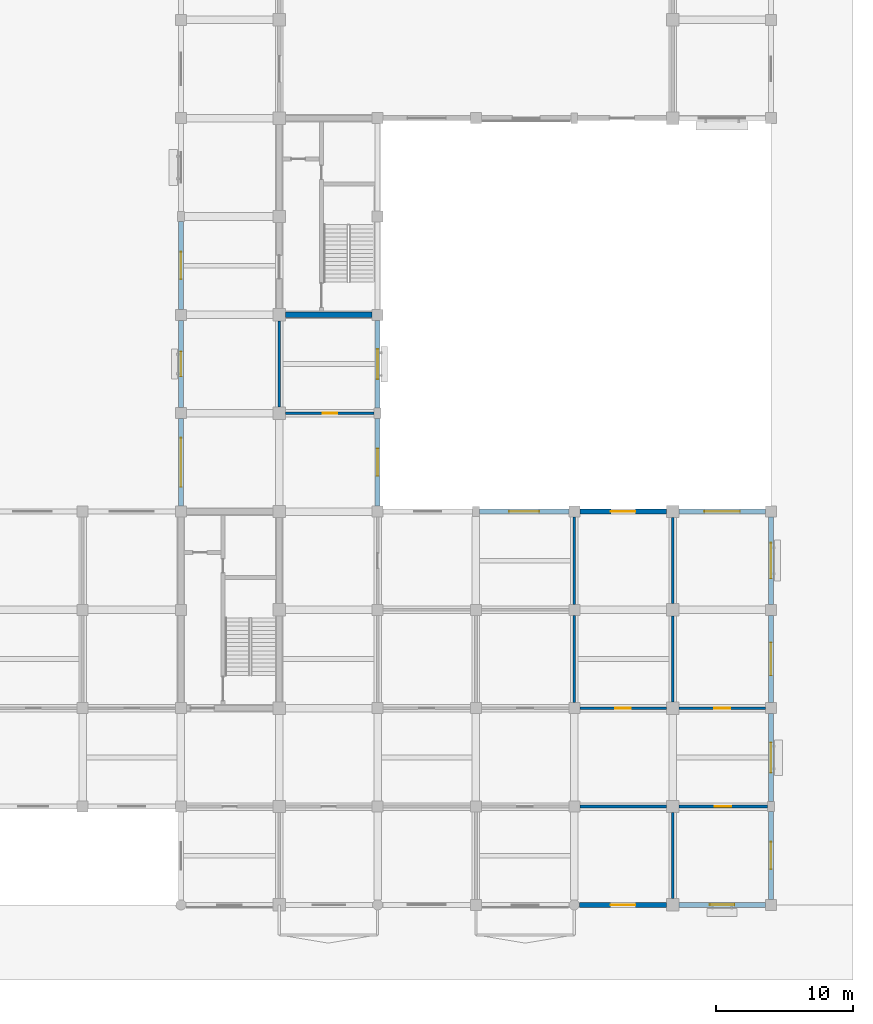
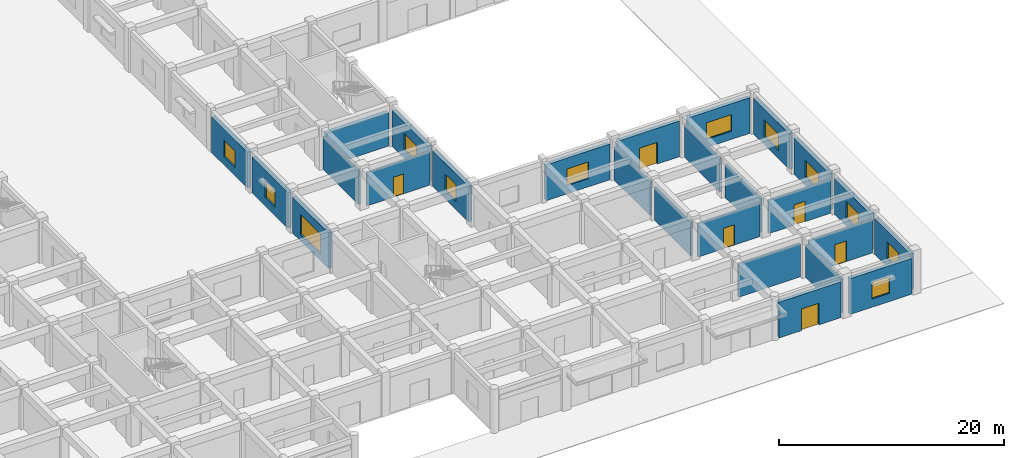
# One storey, part 18 of 37: 26 walls, 12 windows, 6 doors, 18 openings.
"""IFC4 building model written with IfcOpenShell, lengths in metres."""

import ifcopenshell
import ifcopenshell.guid

model = None  # the IFC model being written
_history = None  # IfcOwnerHistory: only IFC2X3 demands one
_inside = {}  # id of a spatial element -> (the spatial element, [elements in it])
_under = {}  # id of a project, library or spatial element -> (it, [spatial elements below it])
_declared = {}  # id of a project -> (the project, [libraries it declares])
_typed = {}  # id of a type object -> (the type object, [elements of that type])
_made_of = {}  # id of a material, layer set ... -> (it, [elements and type objects made of it])


def new_model(schema):
    """Start an empty IFC model of exactly this schema.

    Asked for "IFC4X3", IfcOpenShell would pick the latest addendum, in which some entities
    have other attributes; the version numbers below select the first issue.
    IFC2X3 requires an IfcOwnerHistory on every rooted entity: one is made here for all.
    """
    global model, _history
    if schema == "IFC4X3":
        model = ifcopenshell.file(schema_version=(4, 3, 0, 0))
    else:
        model = ifcopenshell.file(schema=schema)
    _inside.clear()
    _under.clear()
    _declared.clear()
    _typed.clear()
    _made_of.clear()
    _history = None
    if model.schema == "IFC2X3":
        org = make("IfcOrganization", Name="unknown")
        user = make(
            "IfcPersonAndOrganization",
            ThePerson=make("IfcPerson", FamilyName="unknown"),
            TheOrganization=org,
        )
        app = make(
            "IfcApplication",
            ApplicationDeveloper=org,
            Version="unknown",
            ApplicationFullName="unknown",
            ApplicationIdentifier="unknown",
        )
        _history = make(
            "IfcOwnerHistory",
            OwningUser=user,
            OwningApplication=app,
            ChangeAction="ADDED",
            CreationDate=0,
        )
    return model


def make(cls, **values):
    """One entity of the class cls with the attributes given. An attribute that is None is left unset."""
    return model.create_entity(
        cls, **{name: value for name, value in values.items() if value is not None}
    )


def rooted(cls, **values):
    """An entity with a GlobalId (a new one), such as an element, a storey or a relation."""
    return make(cls, GlobalId=ifcopenshell.guid.new(), OwnerHistory=_history, **values)


def si_unit(unit_type, name, prefix=None):
    """IfcSIUnit, for example si_unit("LENGTHUNIT", "METRE", prefix="MILLI")."""
    return make("IfcSIUnit", UnitType=unit_type, Prefix=prefix, Name=name)


def assignment(units):
    """IfcUnitAssignment: the units of a project."""
    return None if units is None else make("IfcUnitAssignment", Units=units)


def point(xyz):
    """IfcCartesianPoint."""
    return None if xyz is None else make("IfcCartesianPoint", Coordinates=xyz)


def direction(xyz):
    """IfcDirection."""
    return None if xyz is None else make("IfcDirection", DirectionRatios=xyz)


def frame(location, z_axis=None, x_axis=None):
    """IfcAxis2Placement3D, a coordinate frame: its origin and axes. An axis left out is left unset."""
    return make(
        "IfcAxis2Placement3D",
        Location=point(location),
        Axis=direction(z_axis),
        RefDirection=direction(x_axis),
    )


def frame_2d(location, x_axis=None):
    """IfcAxis2Placement2D, a coordinate frame in the plane: its origin and x axis."""
    return make(
        "IfcAxis2Placement2D", Location=point(location), RefDirection=direction(x_axis)
    )


def origin():
    """The frame at (0, 0, 0) with its axes left unset."""
    return frame((0.0, 0.0, 0.0))


def place(relative_to, where):
    """IfcLocalPlacement: puts the frame where relative to a parent placement (None: the world)."""
    return make(
        "IfcLocalPlacement", PlacementRelTo=relative_to, RelativePlacement=where
    )


def context(
    kind, dimensions, precision=None, world=None, true_north=None, identifier=None
):
    """IfcGeometricRepresentationContext, for example the 3D "Model" context."""
    return make(
        "IfcGeometricRepresentationContext",
        ContextIdentifier=identifier,
        ContextType=kind,
        CoordinateSpaceDimension=dimensions,
        Precision=precision,
        WorldCoordinateSystem=world,
        TrueNorth=true_north,
    )


def subcontext(parent, identifier, kind, view, scale=None):
    """IfcGeometricRepresentationSubContext, for example "Body" below "Model"."""
    return make(
        "IfcGeometricRepresentationSubContext",
        ContextIdentifier=identifier,
        ContextType=kind,
        ParentContext=parent,
        TargetScale=scale,
        TargetView=view,
    )


def project(units=None, contexts=None):
    """IfcProject with its units and contexts."""
    return rooted(
        "IfcProject",
        Name="project",
        RepresentationContexts=contexts,
        UnitsInContext=assignment(units),
    )


def spatial(cls, under=None, at=None, **own):
    """A site, building, storey or space (cls), placed at a placement, below another one or the project."""
    s = rooted(cls, ObjectPlacement=at, **own)
    if under is not None:
        _under.setdefault(under.id(), (under, []))[1].append(s)
    return s


def profile(cls, at=None, kind="AREA", **sizes):
    """A parametric profile (cls). Its sizes go by their IFC names, for example OverallWidth=200.0."""
    return make(cls, ProfileType=kind, Position=at, **sizes)


def rectangle(**sizes):
    """IfcRectangleProfileDef."""
    return profile("IfcRectangleProfileDef", **sizes)


def extrude(swept, where, along, depth):
    """IfcExtrudedAreaSolid: the profile swept, set in the frame where, extruded along a direction by depth."""
    return make(
        "IfcExtrudedAreaSolid",
        SweptArea=swept,
        Position=where,
        ExtrudedDirection=direction(along),
        Depth=depth,
    )


def shape(context_of_items, identifier, shape_type, items):
    """IfcShapeRepresentation: the items that make up one representation, for example the "Body"."""
    return make(
        "IfcShapeRepresentation",
        ContextOfItems=context_of_items,
        RepresentationIdentifier=identifier,
        RepresentationType=shape_type,
        Items=items,
    )


def material(Name=None, Category=None):
    """IfcMaterial."""
    return make("IfcMaterial", Name=Name, Category=Category)


def layer(
    of_material, thickness, ventilated=None, Name=None, Category=None, Priority=None
):
    """IfcMaterialLayer: one layer of a wall or slab, of a material (None: an air gap)."""
    return make(
        "IfcMaterialLayer",
        Material=of_material,
        LayerThickness=thickness,
        IsVentilated=ventilated,
        Name=Name,
        Category=Category,
        Priority=Priority,
    )


def layer_set(layers, Name=None):
    """IfcMaterialLayerSet."""
    return make("IfcMaterialLayerSet", MaterialLayers=layers, LayerSetName=Name)


def made_of(thing, what):
    """Note that an element or type object is made of a material, layer set ...; save() writes the relation."""
    if what is not None:
        _made_of.setdefault(what.id(), (what, []))[1].append(thing)
    return thing


def type_object(cls, material=None, **own):
    """A type object (cls), such as IfcWallType, which elements share."""
    return made_of(rooted(cls, **own), material)


def element(
    cls,
    number,
    at=None,
    inside=None,
    cuts=None,
    type_object=None,
    material=None,
    context=None,
    identifier="Body",
    shape_type=None,
    held_by="IfcProductDefinitionShape",
    body=None,
    shapes=None,
    **own,
):
    """One element of the class cls, such as IfcWall. Its Tag is "e" and its number.

    at: its placement. inside: the storey or other place that contains it. cuts: it is an
    opening in that element (IfcRelVoidsElement). A single representation is given by context,
    identifier, shape_type and body (its items); several are given by shapes. held_by: the class
    of the entity that holds the representations. save() writes the other relations.
    """
    e = rooted(cls, Tag="e%d" % number, ObjectPlacement=at, **own)
    if body is not None:
        shapes = [shape(context, identifier, shape_type, body)]
    if shapes is not None:
        e.Representation = make(held_by, Representations=shapes)
    if inside is not None:
        _inside.setdefault(inside.id(), (inside, []))[1].append(e)
    if cuts is not None:
        rooted(
            "IfcRelVoidsElement", RelatingBuildingElement=cuts, RelatedOpeningElement=e
        )
    if type_object is not None:
        _typed.setdefault(type_object.id(), (type_object, []))[1].append(e)
    return made_of(e, material)


def fill(opening, filler):
    """IfcRelFillsElement: the door or window that sits in an opening."""
    return rooted(
        "IfcRelFillsElement",
        RelatingOpeningElement=opening,
        RelatedBuildingElement=filler,
    )


def aggregate(whole, parts):
    """IfcRelAggregates: a whole, such as a stair, and the parts it consists of."""
    return rooted("IfcRelAggregates", RelatingObject=whole, RelatedObjects=parts)


def save(model, path):
    """Write the relations noted so far, then the file.

    IfcRelAggregates (storeys below a building ...), IfcRelContainedInSpatialStructure (elements
    in a storey), IfcRelDefinesByType, IfcRelAssociatesMaterial and IfcRelDeclares: one each for
    every whole, place, type object, material and project.
    """
    for whole, parts in _under.values():
        aggregate(whole, parts)
    for where, things in _inside.values():
        rooted(
            "IfcRelContainedInSpatialStructure",
            RelatedElements=things,
            RelatingStructure=where,
        )
    for kind, things in _typed.values():
        rooted("IfcRelDefinesByType", RelatedObjects=things, RelatingType=kind)
    for what, things in _made_of.values():
        rooted("IfcRelAssociatesMaterial", RelatedObjects=things, RelatingMaterial=what)
    for by, libraries in _declared.values():
        rooted("IfcRelDeclares", RelatingContext=by, RelatedDefinitions=libraries)
    model.write(path)


model = new_model("IFC4")

# Units and contexts
model_context = context("Model", 3, precision=1e-05, world=origin(), true_north=direction((0.0, 1.0)))
body_context = subcontext(model_context, "Body", "Model", "MODEL_VIEW")
ifc_project = project(units=[si_unit("LENGTHUNIT", "METRE"), si_unit("AREAUNIT", "SQUARE_METRE"), si_unit("VOLUMEUNIT", "CUBIC_METRE"), si_unit("PLANEANGLEUNIT", "RADIAN"), si_unit("MASSUNIT", "GRAM", prefix="KILO")], contexts=[model_context])

# Site, building, storey
site_placement = place(None, origin())
site = spatial("IfcSite", under=ifc_project, at=site_placement, CompositionType="ELEMENT")
building_placement = place(site_placement, origin())
building = spatial("IfcBuilding", under=site, at=building_placement, Name="Cendaluz Park School", CompositionType="ELEMENT")
storey_placement = place(building_placement, origin())
storey = spatial("IfcBuildingStorey", under=building, at=storey_placement, Name="L00", CompositionType="ELEMENT", Elevation=0.0)

# Wall
ifc_material_1 = material(Name="Gypsum Plasterboard on Cold-Formed Stud", Category="gypsum")
ifc_layer_1 = layer(ifc_material_1, 0.199951171875)
ifc_layer_set_1 = layer_set([ifc_layer_1], Name="Gypsum Plasterboard on Cold-Formed Stud")
wall_type_1 = type_object("IfcWallType", Name="W-AC20", PredefinedType="PARTITIONING", material=ifc_layer_set_1)
wall_1_placement = place(storey_placement, frame((158.39990234375, 22.0, 0.0), z_axis=(0.0, 0.0, 1.0), x_axis=(0.0, 1.0, 0.0)))
element("IfcWall", 1, at=wall_1_placement, inside=storey, type_object=wall_type_1, Name="WL-FA-CI1", PredefinedType="PARTITIONING", context=body_context, shape_type="SweptSolid", body=[
    extrude(rectangle(XDim=6.39990234375, YDim=0.199951171875, at=frame_2d((3.199951171875, 0.0))), origin(), (0.0, 0.0, 1.0), 3.6201171875),
])

# Wall, opening, door
wall_2_placement = place(storey_placement, frame((158.800048828125, 14.39990234375, 0.0), z_axis=(0.0, 0.0, 1.0), x_axis=(1.0, 0.0, 0.0)))
wall_2 = element("IfcWall", 2, at=wall_2_placement, inside=storey, type_object=wall_type_1, Name="WL-FA-CI2", PredefinedType="PARTITIONING", context=body_context, shape_type="SweptSolid", body=[
    extrude(rectangle(XDim=6.349853515625, YDim=0.199951171875, at=frame_2d((3.1748046875, 0.0))), origin(), (0.0, 0.0, 1.0), 3.6201171875),
])
opening_1_placement = place(wall_2_placement, frame((2.614990234375, 0.0, 0.0)))
opening_1 = element("IfcOpeningElement", 3, at=opening_1_placement, cuts=wall_2, Name="Opening DCL-06", PredefinedType="OPENING", context=body_context, shape_type="SweptSolid", body=[
    extrude(rectangle(XDim=1.1201171875, YDim=2.199951171875, at=frame_2d((0.56005859375, 1.10009765625))), frame((0.0, 0.112060546875, 0.0), z_axis=(0.0, -1.0, 0.0), x_axis=(1.0, 0.0, 0.0)), (0.0, 0.0, 1.0), 0.223876953125),
])
ifc_material_2 = material(Name="Solid Core Hardwood", Category="wood")
door_type_1 = type_object("IfcDoorType", Name="DCL-06", OperationType="NOTDEFINED", PredefinedType="DOOR", material=ifc_material_2)
door_1_placement = place(opening_1_placement, origin())
door_1 = element("IfcDoor", 4, at=door_1_placement, inside=storey, type_object=door_type_1, Name="D-L00-088", OperationType="SINGLE_SWING_RIGHT", OverallHeight=2.199951171875, OverallWidth=1.1201171875, PredefinedType="DOOR", context=body_context, shape_type="SweptSolid", body=[
    extrude(rectangle(XDim=1.1201171875, YDim=2.199951171875, at=frame_2d((0.56005859375, 1.10009765625))), frame((0.0, 0.02490234375, 0.0), z_axis=(0.0, -1.0, 0.0), x_axis=(1.0, 0.0, 0.0)), (0.0, 0.0, 1.0), 0.050048828125),
])
fill(opening_1, door_1)

# Walls
wall_3_placement = place(storey_placement, frame((158.39990234375, 14.800048828125, 0.0), z_axis=(0.0, 0.0, 1.0), x_axis=(0.0, 1.0, 0.0)))
element("IfcWall", 5, at=wall_3_placement, inside=storey, type_object=wall_type_1, Name="WL-FA-CI3", PredefinedType="PARTITIONING", context=body_context, shape_type="SweptSolid", body=[
    extrude(rectangle(XDim=6.39990234375, YDim=0.199951171875, at=frame_2d((3.199951171875, 0.0))), origin(), (0.0, 0.0, 1.0), 3.6201171875),
])
wall_4_placement = place(storey_placement, frame((165.60009765625, 14.85009765625, 0.0), z_axis=(0.0, 0.0, 1.0), x_axis=(0.0, 1.0, 0.0)))
element("IfcWall", 6, at=wall_4_placement, inside=storey, type_object=wall_type_1, Name="WL-FA-CI4", PredefinedType="PARTITIONING", context=body_context, shape_type="SweptSolid", body=[
    extrude(rectangle(XDim=6.2998046875, YDim=0.199951171875, at=frame_2d((3.14990234375, 0.0))), origin(), (0.0, 0.0, 1.0), 3.6201171875),
])
wall_5_placement = place(storey_placement, frame((165.60009765625, 22.050048828125, 0.0), z_axis=(0.0, 0.0, 1.0), x_axis=(0.0, 1.0, 0.0)))
element("IfcWall", 7, at=wall_5_placement, inside=storey, type_object=wall_type_1, Name="WL-FA-CI5", PredefinedType="PARTITIONING", context=body_context, shape_type="SweptSolid", body=[
    extrude(rectangle(XDim=6.300048828125, YDim=0.199951171875, at=frame_2d((3.14990234375, 0.0))), origin(), (0.0, 0.0, 1.0), 3.6201171875),
])

# Wall, opening, door
wall_6_placement = place(storey_placement, frame((166.050048828125, 14.39990234375, 0.0), z_axis=(0.0, 0.0, 1.0), x_axis=(1.0, 0.0, 0.0)))
wall_6 = element("IfcWall", 8, at=wall_6_placement, inside=storey, type_object=wall_type_1, Name="WL-FA-CI6", PredefinedType="PARTITIONING", context=body_context, shape_type="SweptSolid", body=[
    extrude(rectangle(XDim=6.349853515625, YDim=0.199951171875, at=frame_2d((3.1748046875, 0.0))), origin(), (0.0, 0.0, 1.0), 3.6201171875),
])
opening_2_placement = place(wall_6_placement, frame((2.594970703125, 0.0, 0.0)))
opening_2 = element("IfcOpeningElement", 9, at=opening_2_placement, cuts=wall_6, Name="Opening DCL-07", PredefinedType="OPENING", context=body_context, shape_type="SweptSolid", body=[
    extrude(rectangle(XDim=1.159912109375, YDim=2.219970703125, at=frame_2d((0.580078125, 1.10986328125))), frame((0.0, 0.112060546875, 0.0), z_axis=(0.0, -1.0, 0.0), x_axis=(1.0, 0.0, 0.0)), (0.0, 0.0, 1.0), 0.223876953125),
])
door_type_2 = type_object("IfcDoorType", Name="DCL-07", OperationType="NOTDEFINED", PredefinedType="DOOR", material=ifc_material_2)
door_2_placement = place(opening_2_placement, origin())
door_2 = element("IfcDoor", 10, at=door_2_placement, inside=storey, type_object=door_type_2, Name="D-L00-089", OperationType="SINGLE_SWING_LEFT", OverallHeight=2.219970703125, OverallWidth=1.159912109375, PredefinedType="DOOR", context=body_context, shape_type="SweptSolid", body=[
    extrude(rectangle(XDim=1.159912109375, YDim=2.219970703125, at=frame_2d((0.580078125, 1.10986328125))), frame((0.0, 0.02490234375, 0.0), z_axis=(0.0, -1.0, 0.0), x_axis=(1.0, 0.0, 0.0)), (0.0, 0.0, 1.0), 0.050048828125),
])
fill(opening_2, door_2)

wall_7_placement = place(storey_placement, frame((137.25, 36.0, 0.0), z_axis=(0.0, 0.0, 1.0), x_axis=(1.0, 0.0, 0.0)))
wall_7 = element("IfcWall", 11, at=wall_7_placement, inside=storey, type_object=wall_type_1, Name="WL-FA-CM5", PredefinedType="PARTITIONING", context=body_context, shape_type="SweptSolid", body=[
    extrude(rectangle(XDim=6.5, YDim=0.199951171875, at=frame_2d((3.25, 0.0))), origin(), (0.0, 0.0, 1.0), 3.6201171875),
])
opening_3_placement = place(wall_7_placement, frame((2.719970703125, 0.0, 0.0)))
opening_3 = element("IfcOpeningElement", 12, at=opening_3_placement, cuts=wall_7, Name="Opening DCL-04", PredefinedType="OPENING", context=body_context, shape_type="SweptSolid", body=[
    extrude(rectangle(XDim=1.06005859375, YDim=2.159912109375, at=frame_2d((0.530029296875, 1.080078125))), frame((0.0, 0.112060546875, 0.0), z_axis=(0.0, -1.0, 0.0), x_axis=(1.0, 0.0, 0.0)), (0.0, 0.0, 1.0), 0.223876953125),
])
door_type_3 = type_object("IfcDoorType", Name="DCL-04", OperationType="NOTDEFINED", PredefinedType="DOOR", material=ifc_material_2)
door_3_placement = place(opening_3_placement, origin())
door_3 = element("IfcDoor", 13, at=door_3_placement, inside=storey, type_object=door_type_3, Name="D-L00-106", OperationType="SINGLE_SWING_RIGHT", OverallHeight=2.159912109375, OverallWidth=1.06005859375, PredefinedType="DOOR", context=body_context, shape_type="SweptSolid", body=[
    extrude(rectangle(XDim=1.06005859375, YDim=2.159912109375, at=frame_2d((0.530029296875, 1.080078125))), frame((0.0, 0.02490234375, 0.0), z_axis=(0.0, -1.0, 0.0), x_axis=(1.0, 0.0, 0.0)), (0.0, 0.0, 1.0), 0.050048828125),
])
fill(opening_3, door_3)

# Walls
wall_8_placement = place(storey_placement, frame((136.800048828125, 36.449951171875, 0.0), z_axis=(0.0, 0.0, 1.0), x_axis=(0.0, 1.0, 0.0)))
element("IfcWall", 14, at=wall_8_placement, inside=storey, type_object=wall_type_1, Name="WL-FA-CM6", PredefinedType="PARTITIONING", context=body_context, shape_type="SweptSolid", body=[
    extrude(rectangle(XDim=6.300048828125, YDim=0.199951171875, at=frame_2d((3.14990234375, 0.0))), origin(), (0.0, 0.0, 1.0), 3.6201171875),
])
wall_9_placement = place(storey_placement, frame((158.800048828125, 7.199951171875, 0.0), z_axis=(0.0, 0.0, 1.0), x_axis=(1.0, 0.0, 0.0)))
element("IfcWall", 15, at=wall_9_placement, inside=storey, type_object=wall_type_1, Name="WL-FA-CN1", PredefinedType="PARTITIONING", context=body_context, shape_type="SweptSolid", body=[
    extrude(rectangle(XDim=6.349853515625, YDim=0.199951171875, at=frame_2d((3.1748046875, 0.0))), origin(), (0.0, 0.0, 1.0), 3.6201171875),
])
wall_10_placement = place(storey_placement, frame((165.60009765625, 0.449951171875, 0.0), z_axis=(0.0, 0.0, 1.0), x_axis=(0.0, 1.0, 0.0)))
element("IfcWall", 16, at=wall_10_placement, inside=storey, type_object=wall_type_1, Name="WL-FA-CN2", PredefinedType="PARTITIONING", context=body_context, shape_type="SweptSolid", body=[
    extrude(rectangle(XDim=6.300048828125, YDim=0.199951171875, at=frame_2d((3.14990234375, 0.0))), origin(), (0.0, 0.0, 1.0), 3.6201171875),
])

# Wall, opening, door
wall_11_placement = place(storey_placement, frame((166.050048828125, 7.199951171875, 0.0), z_axis=(0.0, 0.0, 1.0), x_axis=(1.0, 0.0, 0.0)))
wall_11 = element("IfcWall", 17, at=wall_11_placement, inside=storey, type_object=wall_type_1, Name="WL-FA-CN4", PredefinedType="PARTITIONING", context=body_context, shape_type="SweptSolid", body=[
    extrude(rectangle(XDim=6.5, YDim=0.199951171875, at=frame_2d((3.25, 0.0))), origin(), (0.0, 0.0, 1.0), 3.6201171875),
])
opening_4_placement = place(wall_11_placement, frame((2.64990234375, 0.0, 0.0)))
opening_4 = element("IfcOpeningElement", 18, at=opening_4_placement, cuts=wall_11, Name="Opening DCL-08", PredefinedType="OPENING", context=body_context, shape_type="SweptSolid", body=[
    extrude(rectangle(XDim=1.199951171875, YDim=2.239990234375, at=frame_2d((0.60009765625, 1.1201171875))), frame((0.0, 0.112060546875, 0.0), z_axis=(0.0, -1.0, 0.0), x_axis=(1.0, 0.0, 0.0)), (0.0, 0.0, 1.0), 0.223876953125),
])
door_type_4 = type_object("IfcDoorType", Name="DCL-08", OperationType="NOTDEFINED", PredefinedType="DOOR", material=ifc_material_2)
door_4_placement = place(opening_4_placement, frame((1.199951171875, 0.0, 0.0), z_axis=(0.0, 0.0, 1.0), x_axis=(-1.0, 0.0, 0.0)))
door_4 = element("IfcDoor", 19, at=door_4_placement, inside=storey, type_object=door_type_4, Name="D-L00-110", OperationType="SINGLE_SWING_RIGHT", OverallHeight=2.239990234375, OverallWidth=1.199951171875, PredefinedType="DOOR", context=body_context, shape_type="SweptSolid", body=[
    extrude(rectangle(XDim=1.199951171875, YDim=2.239990234375, at=frame_2d((0.60009765625, 1.1201171875))), frame((0.0, 0.02490234375, 0.0), z_axis=(0.0, -1.0, 0.0), x_axis=(1.0, 0.0, 0.0)), (0.0, 0.0, 1.0), 0.050048828125),
])
fill(opening_4, door_4)

# Wall, opening, window
ifc_material_3 = material(Name="Concrete C40/50 precast", Category="concrete")
ifc_layer_2 = layer(ifc_material_3, 0.360107421875)
ifc_layer_set_2 = layer_set([ifc_layer_2], Name="Concrete C40/50 precast")
wall_type_2 = type_object("IfcWallType", Name="W-EX36", PredefinedType="SOLIDWALL", material=ifc_layer_set_2)
wall_12_placement = place(storey_placement, frame((129.60009765625, 29.199951171875, 0.0), z_axis=(0.0, 0.0, 1.0), x_axis=(0.0, 1.0, 0.0)))
wall_12 = element("IfcWall", 20, at=wall_12_placement, inside=storey, type_object=wall_type_2, Name="WL-FA-AI3", PredefinedType="SOLIDWALL", context=body_context, shape_type="SweptSolid", body=[
    extrude(rectangle(XDim=6.400146484375, YDim=0.360107421875, at=frame_2d((3.2001953125, 0.0))), origin(), (0.0, 0.0, 1.0), 3.889892578125),
])
opening_5_placement = place(wall_12_placement, frame((1.39990234375, 0.0, 0.699951171875)))
opening_5 = element("IfcOpeningElement", 21, at=opening_5_placement, cuts=wall_12, Name="Opening WN-26", PredefinedType="OPENING", context=body_context, shape_type="SweptSolid", body=[
    extrude(rectangle(XDim=3.60009765625, YDim=2.199951171875, at=frame_2d((1.800048828125, 1.10009765625))), frame((0.0, 0.192138671875, 0.0), z_axis=(0.0, -1.0, 0.0), x_axis=(1.0, 0.0, 0.0)), (0.0, 0.0, 1.0), 0.384033203125),
])
ifc_material_4 = material(Name="Tempered Low-E Double Glazing", Category="glass")
window_type_1 = type_object("IfcWindowType", Name="WN-26", PartitioningType="SINGLE_PANEL", PredefinedType="WINDOW", material=ifc_material_4)
window_1_placement = place(opening_5_placement, origin())
window_1 = element("IfcWindow", 22, at=window_1_placement, inside=storey, type_object=window_type_1, Name="WN-L00-063", OverallHeight=2.199951171875, OverallWidth=3.60009765625, PartitioningType="SINGLE_PANEL", PredefinedType="WINDOW", context=body_context, shape_type="SweptSolid", body=[
    extrude(rectangle(XDim=3.60009765625, YDim=2.199951171875, at=frame_2d((1.800048828125, 1.10009765625))), frame((0.0, 0.030029296875, 0.0), z_axis=(0.0, -1.0, 0.0), x_axis=(1.0, 0.0, 0.0)), (0.0, 0.0, 1.0), 0.06005859375),
])
fill(opening_5, window_1)

wall_13_placement = place(storey_placement, frame((129.60009765625, 36.39990234375, 0.0), z_axis=(0.0, 0.0, 1.0), x_axis=(0.0, 1.0, 0.0)))
wall_13 = element("IfcWall", 23, at=wall_13_placement, inside=storey, type_object=wall_type_2, Name="WL-FA-AI4", PredefinedType="SOLIDWALL", context=body_context, shape_type="SweptSolid", body=[
    extrude(rectangle(XDim=6.400146484375, YDim=0.360107421875, at=frame_2d((3.2001953125, 0.0))), origin(), (0.0, 0.0, 1.0), 3.889892578125),
])
opening_6_placement = place(wall_13_placement, frame((2.300048828125, 0.0, 0.89990234375)))
opening_6 = element("IfcOpeningElement", 24, at=opening_6_placement, cuts=wall_13, Name="Opening WN-01", PredefinedType="OPENING", context=body_context, shape_type="SweptSolid", body=[
    extrude(rectangle(XDim=1.800048828125, YDim=1.800048828125, at=frame_2d((0.89990234375, 0.89990234375))), frame((0.0, 0.192138671875, 0.0), z_axis=(0.0, -1.0, 0.0), x_axis=(1.0, 0.0, 0.0)), (0.0, 0.0, 1.0), 0.384033203125),
])
window_type_2 = type_object("IfcWindowType", Name="WN-01", PartitioningType="SINGLE_PANEL", PredefinedType="WINDOW", material=ifc_material_4)
window_2_placement = place(opening_6_placement, origin())
window_2 = element("IfcWindow", 25, at=window_2_placement, inside=storey, type_object=window_type_2, Name="WN-L00-064", OverallHeight=1.800048828125, OverallWidth=1.800048828125, PartitioningType="SINGLE_PANEL", PredefinedType="WINDOW", context=body_context, shape_type="SweptSolid", body=[
    extrude(rectangle(XDim=1.800048828125, YDim=1.800048828125, at=frame_2d((0.89990234375, 0.89990234375))), frame((0.0, 0.030029296875, 0.0), z_axis=(0.0, -1.0, 0.0), x_axis=(1.0, 0.0, 0.0)), (0.0, 0.0, 1.0), 0.06005859375),
])
fill(opening_6, window_2)

wall_14_placement = place(storey_placement, frame((129.60009765625, 43.60009765625, 0.0), z_axis=(0.0, 0.0, 1.0), x_axis=(0.0, 1.0, 0.0)))
wall_14 = element("IfcWall", 26, at=wall_14_placement, inside=storey, type_object=wall_type_2, Name="WL-FA-AI5", PredefinedType="SOLIDWALL", context=body_context, shape_type="SweptSolid", body=[
    extrude(rectangle(XDim=6.4248046875, YDim=0.360107421875, at=frame_2d((3.21240234375, 0.0))), origin(), (0.0, 0.0, 1.0), 3.889892578125),
])
opening_7_placement = place(wall_14_placement, frame((2.21240234375, 0.0, 0.89990234375)))
opening_7 = element("IfcOpeningElement", 27, at=opening_7_placement, cuts=wall_14, Name="Opening WN-02", PredefinedType="OPENING", context=body_context, shape_type="SweptSolid", body=[
    extrude(rectangle(XDim=2.0, YDim=1.800048828125, at=frame_2d((1.0, 0.89990234375))), frame((0.0, 0.192138671875, 0.0), z_axis=(0.0, -1.0, 0.0), x_axis=(1.0, 0.0, 0.0)), (0.0, 0.0, 1.0), 0.384033203125),
])
window_type_3 = type_object("IfcWindowType", Name="WN-02", PartitioningType="SINGLE_PANEL", PredefinedType="WINDOW", material=ifc_material_4)
window_3_placement = place(opening_7_placement, origin())
window_3 = element("IfcWindow", 28, at=window_3_placement, inside=storey, type_object=window_type_3, Name="WN-L00-065", OverallHeight=1.800048828125, OverallWidth=2.0, PartitioningType="SINGLE_PANEL", PredefinedType="WINDOW", context=body_context, shape_type="SweptSolid", body=[
    extrude(rectangle(XDim=2.0, YDim=1.800048828125, at=frame_2d((1.0, 0.89990234375))), frame((0.0, 0.030029296875, 0.0), z_axis=(0.0, -1.0, 0.0), x_axis=(1.0, 0.0, 0.0)), (0.0, 0.0, 1.0), 0.06005859375),
])
fill(opening_7, window_3)

wall_15_placement = place(storey_placement, frame((144.0, 29.199951171875, 0.0), z_axis=(0.0, 0.0, 1.0), x_axis=(0.0, 1.0, 0.0)))
wall_15 = element("IfcWall", 29, at=wall_15_placement, inside=storey, type_object=wall_type_2, Name="WL-FA-AJ7", PredefinedType="SOLIDWALL", context=body_context, shape_type="SweptSolid", body=[
    extrude(rectangle(XDim=6.425048828125, YDim=0.360107421875, at=frame_2d((3.21240234375, 0.0))), origin(), (0.0, 0.0, 1.0), 3.889892578125),
])
opening_8_placement = place(wall_15_placement, frame((2.21240234375, 0.0, 0.89990234375)))
opening_8 = element("IfcOpeningElement", 30, at=opening_8_placement, cuts=wall_15, Name="Opening WN-02", PredefinedType="OPENING", context=body_context, shape_type="SweptSolid", body=[
    extrude(rectangle(XDim=2.0, YDim=1.800048828125, at=frame_2d((1.0, 0.89990234375))), frame((0.0, 0.192138671875, 0.0), z_axis=(0.0, -1.0, 0.0), x_axis=(1.0, 0.0, 0.0)), (0.0, 0.0, 1.0), 0.384033203125),
])
window_4_placement = place(opening_8_placement, origin())
window_4 = element("IfcWindow", 31, at=window_4_placement, inside=storey, type_object=window_type_3, Name="WN-L00-076", OverallHeight=1.800048828125, OverallWidth=2.0, PartitioningType="SINGLE_PANEL", PredefinedType="WINDOW", context=body_context, shape_type="SweptSolid", body=[
    extrude(rectangle(XDim=2.0, YDim=1.800048828125, at=frame_2d((1.0, 0.89990234375))), frame((0.0, 0.030029296875, 0.0), z_axis=(0.0, -1.0, 0.0), x_axis=(1.0, 0.0, 0.0)), (0.0, 0.0, 1.0), 0.06005859375),
])
fill(opening_8, window_4)

wall_16_placement = place(storey_placement, frame((144.0, 36.375, 0.0), z_axis=(0.0, 0.0, 1.0), x_axis=(0.0, 1.0, 0.0)))
wall_16 = element("IfcWall", 32, at=wall_16_placement, inside=storey, type_object=wall_type_2, Name="WL-FA-AJ8", PredefinedType="SOLIDWALL", context=body_context, shape_type="SweptSolid", body=[
    extrude(rectangle(XDim=6.425048828125, YDim=0.360107421875, at=frame_2d((3.21240234375, 0.0))), origin(), (0.0, 0.0, 1.0), 3.889892578125),
])
opening_9_placement = place(wall_16_placement, frame((2.112548828125, 0.0, 0.89990234375)))
opening_9 = element("IfcOpeningElement", 33, at=opening_9_placement, cuts=wall_16, Name="Opening WN-03", PredefinedType="OPENING", context=body_context, shape_type="SweptSolid", body=[
    extrude(rectangle(XDim=2.199951171875, YDim=1.800048828125, at=frame_2d((1.10009765625, 0.89990234375))), frame((0.0, 0.192138671875, 0.0), z_axis=(0.0, -1.0, 0.0), x_axis=(1.0, 0.0, 0.0)), (0.0, 0.0, 1.0), 0.384033203125),
])
window_type_4 = type_object("IfcWindowType", Name="WN-03", PartitioningType="SINGLE_PANEL", PredefinedType="WINDOW", material=ifc_material_4)
window_5_placement = place(opening_9_placement, origin())
window_5 = element("IfcWindow", 34, at=window_5_placement, inside=storey, type_object=window_type_4, Name="WN-L00-077", OverallHeight=1.800048828125, OverallWidth=2.199951171875, PartitioningType="SINGLE_PANEL", PredefinedType="WINDOW", context=body_context, shape_type="SweptSolid", body=[
    extrude(rectangle(XDim=2.199951171875, YDim=1.800048828125, at=frame_2d((1.10009765625, 0.89990234375))), frame((0.0, 0.030029296875, 0.0), z_axis=(0.0, -1.0, 0.0), x_axis=(1.0, 0.0, 0.0)), (0.0, 0.0, 1.0), 0.06005859375),
])
fill(opening_9, window_5)

wall_17_placement = place(storey_placement, frame((151.449951171875, 28.800048828125, 0.0), z_axis=(0.0, 0.0, 1.0), x_axis=(1.0, 0.0, 0.0)))
wall_17 = element("IfcWall", 35, at=wall_17_placement, inside=storey, type_object=wall_type_2, Name="WL-FA-AK5", PredefinedType="SOLIDWALL", context=body_context, shape_type="SweptSolid", body=[
    extrude(rectangle(XDim=6.550048828125, YDim=0.360107421875, at=frame_2d((3.27490234375, 0.0))), origin(), (0.0, 0.0, 1.0), 3.889892578125),
])
opening_10_placement = place(wall_17_placement, frame((2.175048828125, 0.0, 0.89990234375)))
opening_10 = element("IfcOpeningElement", 36, at=opening_10_placement, cuts=wall_17, Name="Opening WN-03", PredefinedType="OPENING", context=body_context, shape_type="SweptSolid", body=[
    extrude(rectangle(XDim=2.199951171875, YDim=1.800048828125, at=frame_2d((1.10009765625, 0.89990234375))), frame((0.0, 0.192138671875, 0.0), z_axis=(0.0, -1.0, 0.0), x_axis=(1.0, 0.0, 0.0)), (0.0, 0.0, 1.0), 0.384033203125),
])
window_6_placement = place(opening_10_placement, origin())
window_6 = element("IfcWindow", 37, at=window_6_placement, inside=storey, type_object=window_type_4, Name="WN-L00-082", OverallHeight=1.800048828125, OverallWidth=2.199951171875, PartitioningType="SINGLE_PANEL", PredefinedType="WINDOW", context=body_context, shape_type="SweptSolid", body=[
    extrude(rectangle(XDim=2.199951171875, YDim=1.800048828125, at=frame_2d((1.10009765625, 0.89990234375))), frame((0.0, 0.030029296875, 0.0), z_axis=(0.0, -1.0, 0.0), x_axis=(1.0, 0.0, 0.0)), (0.0, 0.0, 1.0), 0.06005859375),
])
fill(opening_10, window_6)

# Wall, opening, door
wall_18_placement = place(storey_placement, frame((158.77490234375, 0.0, 0.0), z_axis=(0.0, 0.0, 1.0), x_axis=(1.0, 0.0, 0.0)))
wall_18 = element("IfcWall", 38, at=wall_18_placement, inside=storey, type_object=wall_type_2, Name="WL-FA-AK8", PredefinedType="SOLIDWALL", context=body_context, shape_type="SweptSolid", body=[
    extrude(rectangle(XDim=6.375, YDim=0.360107421875, at=frame_2d((3.1875, 0.0))), origin(), (0.0, 0.0, 1.0), 3.889892578125),
])
opening_11_placement = place(wall_18_placement, frame((2.28759765625, 0.0, 0.0)))
opening_11 = element("IfcOpeningElement", 39, at=opening_11_placement, cuts=wall_18, Name="Opening DEX-03", PredefinedType="OPENING", context=body_context, shape_type="SweptSolid", body=[
    extrude(rectangle(XDim=1.800048828125, YDim=2.35009765625, at=frame_2d((0.89990234375, 1.175048828125))), frame((0.0, 0.192138671875, 0.0), z_axis=(0.0, -1.0, 0.0), x_axis=(1.0, 0.0, 0.0)), (0.0, 0.0, 1.0), 0.384033203125),
])
ifc_material_5 = material(Name="Architectural Bronze")
door_type_5 = type_object("IfcDoorType", Name="DEX-03", OperationType="DOUBLE_DOOR_SINGLE_SWING", PredefinedType="DOOR", material=ifc_material_5)
door_5_placement = place(opening_11_placement, frame((1.800048828125, 0.0, 0.0), z_axis=(0.0, 0.0, 1.0), x_axis=(-1.0, 0.0, 0.0)))
door_5 = element("IfcDoor", 40, at=door_5_placement, inside=storey, type_object=door_type_5, Name="D-L00-026", OperationType="DOUBLE_DOOR_SINGLE_SWING", OverallHeight=2.35009765625, OverallWidth=1.800048828125, PredefinedType="DOOR", context=body_context, shape_type="SweptSolid", body=[
    extrude(rectangle(XDim=1.800048828125, YDim=2.35009765625, at=frame_2d((0.89990234375, 1.175048828125))), frame((0.0, 0.02490234375, 0.0), z_axis=(0.0, -1.0, 0.0), x_axis=(1.0, 0.0, 0.0)), (0.0, 0.0, 1.0), 0.050048828125),
])
fill(opening_11, door_5)

wall_19_placement = place(storey_placement, frame((158.800048828125, 28.800048828125, 0.0), z_axis=(0.0, 0.0, 1.0), x_axis=(1.0, 0.0, 0.0)))
wall_19 = element("IfcWall", 41, at=wall_19_placement, inside=storey, type_object=wall_type_2, Name="WL-FA-AK9", PredefinedType="SOLIDWALL", context=body_context, shape_type="SweptSolid", body=[
    extrude(rectangle(XDim=6.349853515625, YDim=0.360107421875, at=frame_2d((3.1748046875, 0.0))), origin(), (0.0, 0.0, 1.0), 3.889892578125),
])
opening_12_placement = place(wall_19_placement, frame((2.27490234375, 0.0, 0.0)))
opening_12 = element("IfcOpeningElement", 42, at=opening_12_placement, cuts=wall_19, Name="Opening DEX-03", PredefinedType="OPENING", context=body_context, shape_type="SweptSolid", body=[
    extrude(rectangle(XDim=1.800048828125, YDim=2.35009765625, at=frame_2d((0.89990234375, 1.175048828125))), frame((0.0, 0.192138671875, 0.0), z_axis=(0.0, -1.0, 0.0), x_axis=(1.0, 0.0, 0.0)), (0.0, 0.0, 1.0), 0.384033203125),
])
door_6_placement = place(opening_12_placement, origin())
door_6 = element("IfcDoor", 43, at=door_6_placement, inside=storey, type_object=door_type_5, Name="D-L00-027", OperationType="DOUBLE_DOOR_SINGLE_SWING", OverallHeight=2.35009765625, OverallWidth=1.800048828125, PredefinedType="DOOR", context=body_context, shape_type="SweptSolid", body=[
    extrude(rectangle(XDim=1.800048828125, YDim=2.35009765625, at=frame_2d((0.89990234375, 1.175048828125))), frame((0.0, 0.02490234375, 0.0), z_axis=(0.0, -1.0, 0.0), x_axis=(1.0, 0.0, 0.0)), (0.0, 0.0, 1.0), 0.050048828125),
])
fill(opening_12, door_6)

# Wall, opening, window
wall_20_placement = place(storey_placement, frame((166.050048828125, 0.0, 0.0), z_axis=(0.0, 0.0, 1.0), x_axis=(1.0, 0.0, 0.0)))
wall_20 = element("IfcWall", 44, at=wall_20_placement, inside=storey, type_object=wall_type_2, Name="WL-FA-AL2", PredefinedType="SOLIDWALL", context=body_context, shape_type="SweptSolid", body=[
    extrude(rectangle(XDim=6.349853515625, YDim=0.360107421875, at=frame_2d((3.1748046875, 0.0))), origin(), (0.0, 0.0, 1.0), 3.889892578125),
])
opening_13_placement = place(wall_20_placement, frame((2.27490234375, 0.0, 0.89990234375)))
opening_13 = element("IfcOpeningElement", 45, at=opening_13_placement, cuts=wall_20, Name="Opening WN-01", PredefinedType="OPENING", context=body_context, shape_type="SweptSolid", body=[
    extrude(rectangle(XDim=1.800048828125, YDim=1.800048828125, at=frame_2d((0.89990234375, 0.89990234375))), frame((0.0, 0.192138671875, 0.0), z_axis=(0.0, -1.0, 0.0), x_axis=(1.0, 0.0, 0.0)), (0.0, 0.0, 1.0), 0.384033203125),
])
window_7_placement = place(opening_13_placement, origin())
window_7 = element("IfcWindow", 46, at=window_7_placement, inside=storey, type_object=window_type_2, Name="WN-L00-084", OverallHeight=1.800048828125, OverallWidth=1.800048828125, PartitioningType="SINGLE_PANEL", PredefinedType="WINDOW", context=body_context, shape_type="SweptSolid", body=[
    extrude(rectangle(XDim=1.800048828125, YDim=1.800048828125, at=frame_2d((0.89990234375, 0.89990234375))), frame((0.0, 0.030029296875, 0.0), z_axis=(0.0, -1.0, 0.0), x_axis=(1.0, 0.0, 0.0)), (0.0, 0.0, 1.0), 0.06005859375),
])
fill(opening_13, window_7)

wall_21_placement = place(storey_placement, frame((172.800048828125, 0.39990234375, 0.0), z_axis=(0.0, 0.0, 1.0), x_axis=(0.0, 1.0, 0.0)))
wall_21 = element("IfcWall", 47, at=wall_21_placement, inside=storey, type_object=wall_type_2, Name="WL-FA-AL3", PredefinedType="SOLIDWALL", context=body_context, shape_type="SweptSolid", body=[
    extrude(rectangle(XDim=6.425048828125, YDim=0.360107421875, at=frame_2d((3.21240234375, 0.0))), origin(), (0.0, 0.0, 1.0), 3.889892578125),
])
opening_14_placement = place(wall_21_placement, frame((2.21240234375, 0.0, 0.89990234375)))
opening_14 = element("IfcOpeningElement", 48, at=opening_14_placement, cuts=wall_21, Name="Opening WN-02", PredefinedType="OPENING", context=body_context, shape_type="SweptSolid", body=[
    extrude(rectangle(XDim=2.0, YDim=1.800048828125, at=frame_2d((1.0, 0.89990234375))), frame((0.0, 0.192138671875, 0.0), z_axis=(0.0, -1.0, 0.0), x_axis=(1.0, 0.0, 0.0)), (0.0, 0.0, 1.0), 0.384033203125),
])
window_8_placement = place(opening_14_placement, origin())
window_8 = element("IfcWindow", 49, at=window_8_placement, inside=storey, type_object=window_type_3, Name="WN-L00-085", OverallHeight=1.800048828125, OverallWidth=2.0, PartitioningType="SINGLE_PANEL", PredefinedType="WINDOW", context=body_context, shape_type="SweptSolid", body=[
    extrude(rectangle(XDim=2.0, YDim=1.800048828125, at=frame_2d((1.0, 0.89990234375))), frame((0.0, 0.030029296875, 0.0), z_axis=(0.0, -1.0, 0.0), x_axis=(1.0, 0.0, 0.0)), (0.0, 0.0, 1.0), 0.06005859375),
])
fill(opening_14, window_8)

wall_22_placement = place(storey_placement, frame((172.800048828125, 7.574951171875, 0.0), z_axis=(0.0, 0.0, 1.0), x_axis=(0.0, 1.0, 0.0)))
wall_22 = element("IfcWall", 50, at=wall_22_placement, inside=storey, type_object=wall_type_2, Name="WL-FA-AL4", PredefinedType="SOLIDWALL", context=body_context, shape_type="SweptSolid", body=[
    extrude(rectangle(XDim=6.425048828125, YDim=0.360107421875, at=frame_2d((3.21240234375, 0.0))), origin(), (0.0, 0.0, 1.0), 3.889892578125),
])
opening_15_placement = place(wall_22_placement, frame((2.112548828125, 0.0, 0.89990234375)))
opening_15 = element("IfcOpeningElement", 51, at=opening_15_placement, cuts=wall_22, Name="Opening WN-03", PredefinedType="OPENING", context=body_context, shape_type="SweptSolid", body=[
    extrude(rectangle(XDim=2.199951171875, YDim=1.800048828125, at=frame_2d((1.10009765625, 0.89990234375))), frame((0.0, 0.192138671875, 0.0), z_axis=(0.0, -1.0, 0.0), x_axis=(1.0, 0.0, 0.0)), (0.0, 0.0, 1.0), 0.384033203125),
])
window_9_placement = place(opening_15_placement, origin())
window_9 = element("IfcWindow", 52, at=window_9_placement, inside=storey, type_object=window_type_4, Name="WN-L00-086", OverallHeight=1.800048828125, OverallWidth=2.199951171875, PartitioningType="SINGLE_PANEL", PredefinedType="WINDOW", context=body_context, shape_type="SweptSolid", body=[
    extrude(rectangle(XDim=2.199951171875, YDim=1.800048828125, at=frame_2d((1.10009765625, 0.89990234375))), frame((0.0, 0.030029296875, 0.0), z_axis=(0.0, -1.0, 0.0), x_axis=(1.0, 0.0, 0.0)), (0.0, 0.0, 1.0), 0.06005859375),
])
fill(opening_15, window_9)

wall_23_placement = place(storey_placement, frame((172.800048828125, 14.800048828125, 0.0), z_axis=(0.0, 0.0, 1.0), x_axis=(0.0, 1.0, 0.0)))
wall_23 = element("IfcWall", 53, at=wall_23_placement, inside=storey, type_object=wall_type_2, Name="WL-FA-AL5", PredefinedType="SOLIDWALL", context=body_context, shape_type="SweptSolid", body=[
    extrude(rectangle(XDim=6.39990234375, YDim=0.360107421875, at=frame_2d((3.199951171875, 0.0))), origin(), (0.0, 0.0, 1.0), 3.889892578125),
])
opening_16_placement = place(wall_23_placement, frame((2.0, 0.0, 0.89990234375)))
opening_16 = element("IfcOpeningElement", 54, at=opening_16_placement, cuts=wall_23, Name="Opening WN-04", PredefinedType="OPENING", context=body_context, shape_type="SweptSolid", body=[
    extrude(rectangle(XDim=2.39990234375, YDim=1.800048828125, at=frame_2d((1.199951171875, 0.89990234375))), frame((0.0, 0.192138671875, 0.0), z_axis=(0.0, -1.0, 0.0), x_axis=(1.0, 0.0, 0.0)), (0.0, 0.0, 1.0), 0.384033203125),
])
window_type_5 = type_object("IfcWindowType", Name="WN-04", PartitioningType="SINGLE_PANEL", PredefinedType="WINDOW", material=ifc_material_4)
window_10_placement = place(opening_16_placement, origin())
window_10 = element("IfcWindow", 55, at=window_10_placement, inside=storey, type_object=window_type_5, Name="WN-L00-087", OverallHeight=1.800048828125, OverallWidth=2.39990234375, PartitioningType="SINGLE_PANEL", PredefinedType="WINDOW", context=body_context, shape_type="SweptSolid", body=[
    extrude(rectangle(XDim=2.39990234375, YDim=1.800048828125, at=frame_2d((1.199951171875, 0.89990234375))), frame((0.0, 0.030029296875, 0.0), z_axis=(0.0, -1.0, 0.0), x_axis=(1.0, 0.0, 0.0)), (0.0, 0.0, 1.0), 0.06005859375),
])
fill(opening_16, window_10)

wall_24_placement = place(storey_placement, frame((166.050048828125, 28.800048828125, 0.0), z_axis=(0.0, 0.0, 1.0), x_axis=(1.0, 0.0, 0.0)))
wall_24 = element("IfcWall", 56, at=wall_24_placement, inside=storey, type_object=wall_type_2, Name="WL-FA-AL6", PredefinedType="SOLIDWALL", context=body_context, shape_type="SweptSolid", body=[
    extrude(rectangle(XDim=6.349853515625, YDim=0.360107421875, at=frame_2d((3.1748046875, 0.0))), origin(), (0.0, 0.0, 1.0), 3.889892578125),
])
opening_17_placement = place(wall_24_placement, frame((1.875, 0.0, 0.89990234375)))
opening_17 = element("IfcOpeningElement", 57, at=opening_17_placement, cuts=wall_24, Name="Opening WN-05", PredefinedType="OPENING", context=body_context, shape_type="SweptSolid", body=[
    extrude(rectangle(XDim=2.60009765625, YDim=1.800048828125, at=frame_2d((1.300048828125, 0.89990234375))), frame((0.0, 0.192138671875, 0.0), z_axis=(0.0, -1.0, 0.0), x_axis=(1.0, 0.0, 0.0)), (0.0, 0.0, 1.0), 0.384033203125),
])
window_type_6 = type_object("IfcWindowType", Name="WN-05", PartitioningType="SINGLE_PANEL", PredefinedType="WINDOW", material=ifc_material_4)
window_11_placement = place(opening_17_placement, origin())
window_11 = element("IfcWindow", 58, at=window_11_placement, inside=storey, type_object=window_type_6, Name="WN-L00-088", OverallHeight=1.800048828125, OverallWidth=2.60009765625, PartitioningType="SINGLE_PANEL", PredefinedType="WINDOW", context=body_context, shape_type="SweptSolid", body=[
    extrude(rectangle(XDim=2.60009765625, YDim=1.800048828125, at=frame_2d((1.300048828125, 0.89990234375))), frame((0.0, 0.030029296875, 0.0), z_axis=(0.0, -1.0, 0.0), x_axis=(1.0, 0.0, 0.0)), (0.0, 0.0, 1.0), 0.06005859375),
])
fill(opening_17, window_11)

wall_25_placement = place(storey_placement, frame((172.800048828125, 22.0, 0.0), z_axis=(0.0, 0.0, 1.0), x_axis=(0.0, 1.0, 0.0)))
wall_25 = element("IfcWall", 59, at=wall_25_placement, inside=storey, type_object=wall_type_2, Name="WL-FA-AL7", PredefinedType="SOLIDWALL", context=body_context, shape_type="SweptSolid", body=[
    extrude(rectangle(XDim=6.39990234375, YDim=0.360107421875, at=frame_2d((3.199951171875, 0.0))), origin(), (0.0, 0.0, 1.0), 3.889892578125),
])
opening_18_placement = place(wall_25_placement, frame((1.89990234375, 0.0, 0.89990234375)))
opening_18 = element("IfcOpeningElement", 60, at=opening_18_placement, cuts=wall_25, Name="Opening WN-05", PredefinedType="OPENING", context=body_context, shape_type="SweptSolid", body=[
    extrude(rectangle(XDim=2.60009765625, YDim=1.800048828125, at=frame_2d((1.300048828125, 0.89990234375))), frame((0.0, 0.192138671875, 0.0), z_axis=(0.0, -1.0, 0.0), x_axis=(1.0, 0.0, 0.0)), (0.0, 0.0, 1.0), 0.384033203125),
])
window_12_placement = place(opening_18_placement, origin())
window_12 = element("IfcWindow", 61, at=window_12_placement, inside=storey, type_object=window_type_6, Name="WN-L00-089", OverallHeight=1.800048828125, OverallWidth=2.60009765625, PartitioningType="SINGLE_PANEL", PredefinedType="WINDOW", context=body_context, shape_type="SweptSolid", body=[
    extrude(rectangle(XDim=2.60009765625, YDim=1.800048828125, at=frame_2d((1.300048828125, 0.89990234375))), frame((0.0, 0.030029296875, 0.0), z_axis=(0.0, -1.0, 0.0), x_axis=(1.0, 0.0, 0.0)), (0.0, 0.0, 1.0), 0.06005859375),
])
fill(opening_18, window_12)

# Wall
ifc_material_6 = material(Name="Concrete C40/50", Category="concrete")
ifc_layer_3 = layer(ifc_material_6, 0.419921875)
ifc_layer_set_3 = layer_set([ifc_layer_3], Name="Concrete C40/50")
wall_type_3 = type_object("IfcWallType", Name="W-SH42", PredefinedType="SHEAR", material=ifc_layer_set_3)
wall_26_placement = place(storey_placement, frame((137.25, 43.199951171875, 0.0), z_axis=(0.0, 0.0, 1.0), x_axis=(1.0, 0.0, 0.0)))
element("IfcWall", 62, at=wall_26_placement, inside=storey, type_object=wall_type_3, Name="WL-FA-BX5", PredefinedType="SHEAR", context=body_context, shape_type="SweptSolid", body=[
    extrude(rectangle(XDim=6.35009765625, YDim=0.419921875, at=frame_2d((3.175048828125, 0.0))), origin(), (0.0, 0.0, 1.0), 3.6201171875),
])

save(model, "model.ifc")
